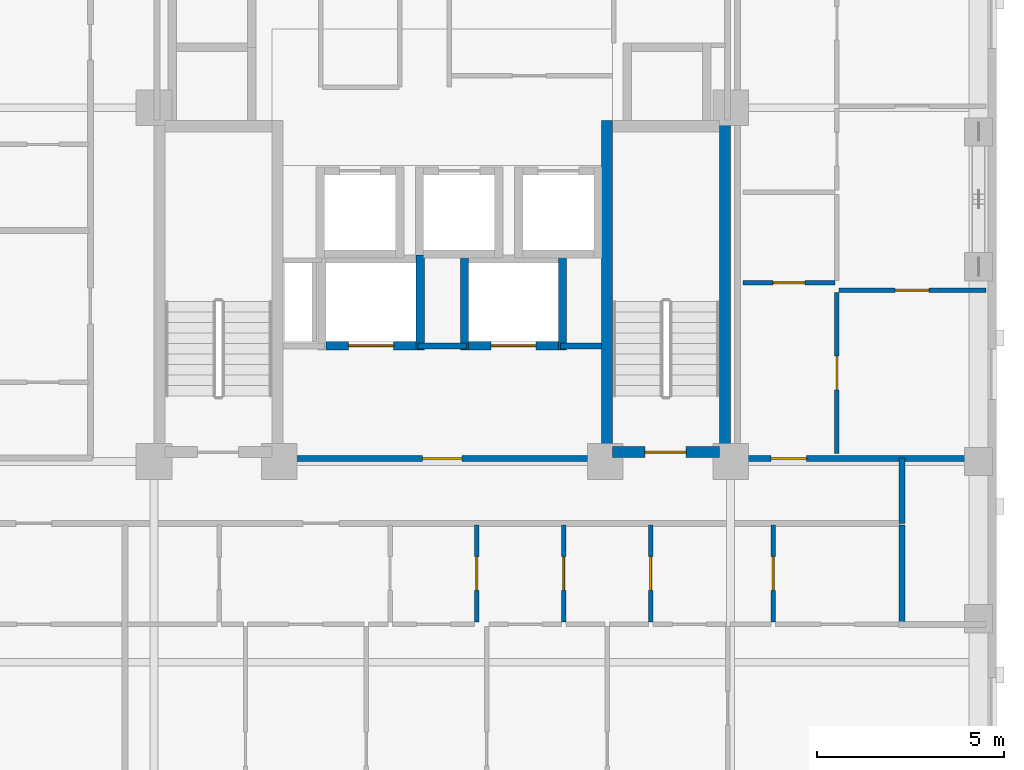
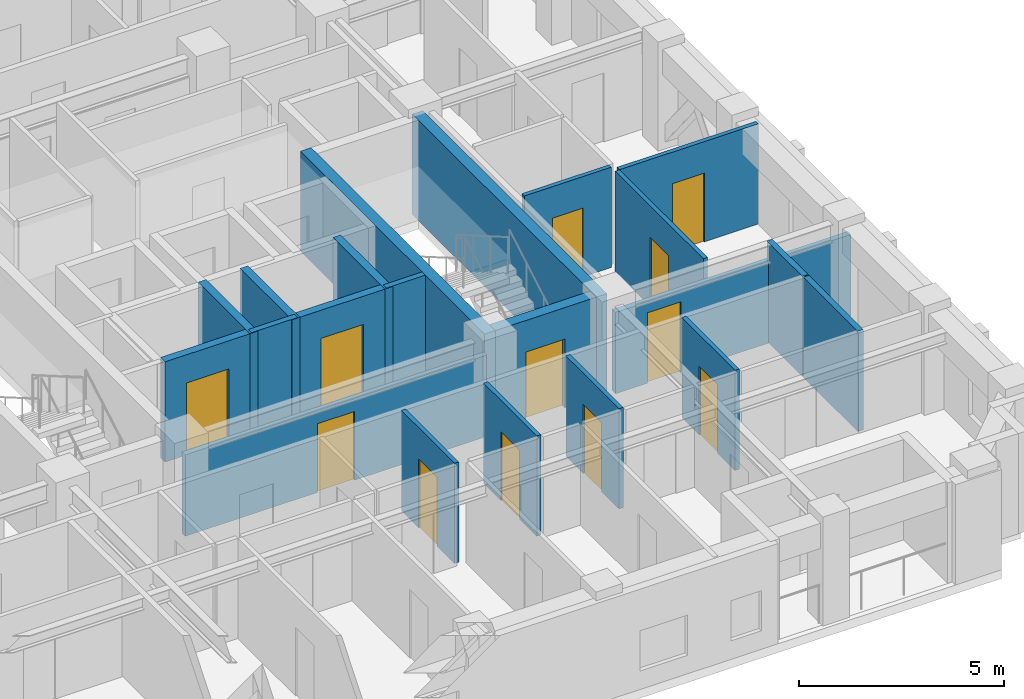
# One storey, part 4 of 11: 21 walls, 12 doors, 12 openings.
"""IFC4 building model written with IfcOpenShell, lengths in metres."""

from ifc_helpers import new_model, si_unit, derived_unit, direction, frame, frame_2d, origin, place, context, subcontext, project, spatial, rectangle, extrude, material, layer, layer_set, type_object, element, fill, save


model = new_model("IFC4")

# Units and contexts
model_context = context("Model", 3, precision=1e-05, world=origin(), true_north=direction((0.0, 1.0)))
body_context = subcontext(model_context, "Body", "Model", "MODEL_VIEW")
ifc_project = project(units=[si_unit("LENGTHUNIT", "METRE"), si_unit("AREAUNIT", "SQUARE_METRE"), si_unit("VOLUMEUNIT", "CUBIC_METRE"), si_unit("PLANEANGLEUNIT", "RADIAN"), si_unit("MASSUNIT", "GRAM", prefix="KILO"), derived_unit("THERMALTRANSMITTANCEUNIT", [(si_unit("MASSUNIT", "GRAM", prefix="KILO"), 1), (si_unit("TIMEUNIT", "SECOND"), -3), (si_unit("THERMODYNAMICTEMPERATUREUNIT", "KELVIN"), -1)])], contexts=[model_context])

# Site, building, storey
site_placement = place(None, origin())
site = spatial("IfcSite", under=ifc_project, at=site_placement, CompositionType="ELEMENT")
building_placement = place(site_placement, origin())
building = spatial("IfcBuilding", under=site, at=building_placement, Name="Korrvale Station Residences", CompositionType="ELEMENT")
storey_placement = place(building_placement, frame((0.0, 0.0, 140.64990234375)))
storey = spatial("IfcBuildingStorey", under=building, at=storey_placement, Name="L40", CompositionType="ELEMENT", Elevation=140.64990234375)

# Walls
ifc_material_1 = material(Name="Concrete C60/75", Category="concrete")
ifc_layer_1 = layer(ifc_material_1, 0.300048828125, Name="Concrete C60/75")
ifc_layer_set_1 = layer_set([ifc_layer_1], Name="Concrete C60/75")
wall_type_1 = type_object("IfcWallType", Name="WAL-CORE-300-C60", PredefinedType="SHEAR", material=ifc_layer_set_1)
for number, where, z_axis, x_axis, name in (
    (1, (29.89990234375, 15.10009765625, 0.0), (0.0, 0.0, 1.0), (0.0, 1.0, 0.0), "L40 ST-2 Core Shear Wall West"),
    (2, (33.050048828125, 15.10009765625, 0.0), (0.0, 0.0, 1.0), (0.0, 1.0, 0.0), "L40 ST-2 Core Shear Wall East"),
):
    element("IfcWall", number, at=place(storey_placement, frame(where, z_axis=z_axis, x_axis=x_axis)), inside=storey, type_object=wall_type_1, Name=name, PredefinedType="SHEAR", context=body_context, shape_type="SweptSolid", body=[
        extrude(rectangle(XDim=9.0, YDim=0.300048828125, at=frame_2d((4.5, 0.0))), origin(), (0.0, 0.0, 1.0), 2.989990234375),
    ])

# Wall, opening, door
wall_1_placement = place(storey_placement, frame((30.050048828125, 15.25, 0.0), z_axis=(0.0, 0.0, 1.0), x_axis=(1.0, 0.0, 0.0)))
wall_1 = element("IfcWall", 3, at=wall_1_placement, inside=storey, type_object=wall_type_1, Name="L40 ST-2 Core Shear Wall South", PredefinedType="SHEAR", context=body_context, shape_type="SweptSolid", body=[
    extrude(rectangle(XDim=2.849853515625, YDim=0.300048828125, at=frame_2d((1.4248046875, 0.0))), origin(), (0.0, 0.0, 1.0), 2.989990234375),
])
opening_1_placement = place(wall_1_placement, frame((0.860107421875, 0.0, 0.0)))
opening_1 = element("IfcOpeningElement", 4, at=opening_1_placement, cuts=wall_1, Name="Opening SD-1100", PredefinedType="OPENING", context=body_context, shape_type="SweptSolid", body=[
    extrude(rectangle(XDim=1.10009765625, YDim=2.050048828125, at=frame_2d((0.550048828125, 1.02490234375))), frame((0.0, 0.16015625, 0.0), z_axis=(0.0, -1.0, 0.0), x_axis=(1.0, 0.0, 0.0)), (0.0, 0.0, 1.0), 0.320068359375),
])
ifc_material_2 = material(Name="Hollow-metal fire-rated stair door with closer", Category="steel")
door_type_1 = type_object("IfcDoorType", Name="DR-STAIR-1100", OperationType="NOTDEFINED", PredefinedType="DOOR", material=ifc_material_2)
door_1_placement = place(opening_1_placement, origin())
door_1 = element("IfcDoor", 5, at=door_1_placement, inside=storey, type_object=door_type_1, Name="L40 ST-2 Exit Stair Door", OperationType="SINGLE_SWING_RIGHT", OverallHeight=2.050048828125, OverallWidth=1.10009765625, PredefinedType="DOOR", context=body_context, shape_type="SweptSolid", body=[
    extrude(rectangle(XDim=1.10009765625, YDim=2.050048828125, at=frame_2d((0.550048828125, 1.02490234375))), frame((0.0, 0.02490234375, 0.0), z_axis=(0.0, -1.0, 0.0), x_axis=(1.0, 0.0, 0.0)), (0.0, 0.0, 1.0), 0.050048828125),
])
fill(opening_1, door_1)

ifc_material_3 = material(Name="Acoustic steel-stud gypsum board partition", Category="steel")
ifc_layer_2 = layer(ifc_material_3, 0.1201171875, Name="Acoustic steel-stud gypsum board partition")
ifc_layer_set_2 = layer_set([ifc_layer_2], Name="Acoustic steel-stud gypsum board partition")
wall_type_2 = type_object("IfcWallType", Name="WAL-PART-125", PredefinedType="PARTITIONING", material=ifc_layer_set_2)
wall_2_placement = place(storey_placement, frame((26.424072265625, 10.7099609375, 0.0), z_axis=(0.0, 0.0, 1.0), x_axis=(0.0, 1.0, 0.0)))
wall_2 = element("IfcWall", 6, at=wall_2_placement, inside=storey, type_object=wall_type_2, Name="L40 Suite Partition U02-V23", PredefinedType="PARTITIONING", context=body_context, shape_type="SweptSolid", body=[
    extrude(rectangle(XDim=2.60009765625, YDim=0.1201171875, at=frame_2d((1.300048828125, 0.0))), origin(), (0.0, 0.0, 1.0), 2.989990234375),
])
opening_2_placement = place(wall_2_placement, frame((0.85009765625, 0.0, 0.0)))
opening_2 = element("IfcOpeningElement", 7, at=opening_2_placement, cuts=wall_2, Name="Opening DI-900", PredefinedType="OPENING", context=body_context, shape_type="SweptSolid", body=[
    extrude(rectangle(XDim=0.89990234375, YDim=2.050048828125, at=frame_2d((0.449951171875, 1.02490234375))), frame((0.0, 0.070068359375, 0.0), z_axis=(0.0, -1.0, 0.0), x_axis=(1.0, 0.0, 0.0)), (0.0, 0.0, 1.0), 0.14013671875),
])
ifc_material_4 = material(Name="Painted solid-core timber interior room door", Category="wood")
door_type_2 = type_object("IfcDoorType", Name="DR-INT-900", OperationType="NOTDEFINED", PredefinedType="DOOR", material=ifc_material_4)
door_2_placement = place(opening_2_placement, origin())
door_2 = element("IfcDoor", 8, at=door_2_placement, inside=storey, type_object=door_type_2, Name="L40 Studio Apartment L40-U02 Wardrobe Storage Room Door", OperationType="SINGLE_SWING_LEFT", OverallHeight=2.050048828125, OverallWidth=0.89990234375, PredefinedType="DOOR", context=body_context, shape_type="SweptSolid", body=[
    extrude(rectangle(XDim=0.89990234375, YDim=2.050048828125, at=frame_2d((0.449951171875, 1.02490234375))), frame((0.0, 0.02490234375, 0.0), z_axis=(0.0, -1.0, 0.0), x_axis=(1.0, 0.0, 0.0)), (0.0, 0.0, 1.0), 0.050048828125),
])
fill(opening_2, door_2)

wall_3_placement = place(storey_placement, frame((28.743896484375, 10.7099609375, 0.0), z_axis=(0.0, 0.0, 1.0), x_axis=(0.0, 1.0, 0.0)))
wall_3 = element("IfcWall", 9, at=wall_3_placement, inside=storey, type_object=wall_type_2, Name="L40 Suite Partition U02-V34", PredefinedType="PARTITIONING", context=body_context, shape_type="SweptSolid", body=[
    extrude(rectangle(XDim=2.60009765625, YDim=0.1201171875, at=frame_2d((1.300048828125, 0.0))), origin(), (0.0, 0.0, 1.0), 2.989990234375),
])
opening_3_placement = place(wall_3_placement, frame((0.85009765625, 0.0, 0.0)))
opening_3 = element("IfcOpeningElement", 10, at=opening_3_placement, cuts=wall_3, Name="Opening DI-900", PredefinedType="OPENING", context=body_context, shape_type="SweptSolid", body=[
    extrude(rectangle(XDim=0.89990234375, YDim=2.050048828125, at=frame_2d((0.449951171875, 1.02490234375))), frame((0.0, 0.070068359375, 0.0), z_axis=(0.0, -1.0, 0.0), x_axis=(1.0, 0.0, 0.0)), (0.0, 0.0, 1.0), 0.14013671875),
])
door_3_placement = place(opening_3_placement, origin())
door_3 = element("IfcDoor", 11, at=door_3_placement, inside=storey, type_object=door_type_2, Name="L40 Studio Apartment L40-U02 Wardrobe Storage Room Door", OperationType="SINGLE_SWING_LEFT", OverallHeight=2.050048828125, OverallWidth=0.89990234375, PredefinedType="DOOR", context=body_context, shape_type="SweptSolid", body=[
    extrude(rectangle(XDim=0.89990234375, YDim=2.050048828125, at=frame_2d((0.449951171875, 1.02490234375))), frame((0.0, 0.02490234375, 0.0), z_axis=(0.0, -1.0, 0.0), x_axis=(1.0, 0.0, 0.0)), (0.0, 0.0, 1.0), 0.050048828125),
])
fill(opening_3, door_3)

wall_4_placement = place(storey_placement, frame((31.06396484375, 10.7099609375, 0.0), z_axis=(0.0, 0.0, 1.0), x_axis=(0.0, 1.0, 0.0)))
wall_4 = element("IfcWall", 12, at=wall_4_placement, inside=storey, type_object=wall_type_2, Name="L40 Suite Partition U02-V45", PredefinedType="PARTITIONING", context=body_context, shape_type="SweptSolid", body=[
    extrude(rectangle(XDim=2.60009765625, YDim=0.1201171875, at=frame_2d((1.300048828125, 0.0))), origin(), (0.0, 0.0, 1.0), 2.989990234375),
])
opening_4_placement = place(wall_4_placement, frame((0.85009765625, 0.0, 0.0)))
opening_4 = element("IfcOpeningElement", 13, at=opening_4_placement, cuts=wall_4, Name="Opening DI-900", PredefinedType="OPENING", context=body_context, shape_type="SweptSolid", body=[
    extrude(rectangle(XDim=0.89990234375, YDim=2.050048828125, at=frame_2d((0.449951171875, 1.02490234375))), frame((0.0, 0.070068359375, 0.0), z_axis=(0.0, -1.0, 0.0), x_axis=(1.0, 0.0, 0.0)), (0.0, 0.0, 1.0), 0.14013671875),
])
door_4_placement = place(opening_4_placement, origin())
door_4 = element("IfcDoor", 14, at=door_4_placement, inside=storey, type_object=door_type_2, Name="L40 Studio Apartment L40-U02 Wardrobe Storage Room Door", OperationType="SINGLE_SWING_LEFT", OverallHeight=2.050048828125, OverallWidth=0.89990234375, PredefinedType="DOOR", context=body_context, shape_type="SweptSolid", body=[
    extrude(rectangle(XDim=0.89990234375, YDim=2.050048828125, at=frame_2d((0.449951171875, 1.02490234375))), frame((0.0, 0.02490234375, 0.0), z_axis=(0.0, -1.0, 0.0), x_axis=(1.0, 0.0, 0.0)), (0.0, 0.0, 1.0), 0.050048828125),
])
fill(opening_4, door_4)

wall_5_placement = place(storey_placement, frame((34.333984375, 10.7099609375, 0.0), z_axis=(0.0, 0.0, 1.0), x_axis=(0.0, 1.0, 0.0)))
wall_5 = element("IfcWall", 15, at=wall_5_placement, inside=storey, type_object=wall_type_2, Name="L40 Suite Partition U02-V56", PredefinedType="PARTITIONING", context=body_context, shape_type="SweptSolid", body=[
    extrude(rectangle(XDim=2.60009765625, YDim=0.1201171875, at=frame_2d((1.300048828125, 0.0))), origin(), (0.0, 0.0, 1.0), 2.989990234375),
])
opening_5_placement = place(wall_5_placement, frame((0.85009765625, 0.0, 0.0)))
opening_5 = element("IfcOpeningElement", 16, at=opening_5_placement, cuts=wall_5, Name="Opening DI-900", PredefinedType="OPENING", context=body_context, shape_type="SweptSolid", body=[
    extrude(rectangle(XDim=0.89990234375, YDim=2.050048828125, at=frame_2d((0.449951171875, 1.02490234375))), frame((0.0, 0.070068359375, 0.0), z_axis=(0.0, -1.0, 0.0), x_axis=(1.0, 0.0, 0.0)), (0.0, 0.0, 1.0), 0.14013671875),
])
door_5_placement = place(opening_5_placement, origin())
door_5 = element("IfcDoor", 17, at=door_5_placement, inside=storey, type_object=door_type_2, Name="L40 Studio Apartment L40-U02 Utility and Laundry Room Door", OperationType="SINGLE_SWING_RIGHT", OverallHeight=2.050048828125, OverallWidth=0.89990234375, PredefinedType="DOOR", context=body_context, shape_type="SweptSolid", body=[
    extrude(rectangle(XDim=0.89990234375, YDim=2.050048828125, at=frame_2d((0.449951171875, 1.02490234375))), frame((0.0, 0.02490234375, 0.0), z_axis=(0.0, -1.0, 0.0), x_axis=(1.0, 0.0, 0.0)), (0.0, 0.0, 1.0), 0.050048828125),
])
fill(opening_5, door_5)

wall_6_placement = place(storey_placement, frame((33.530029296875, 19.77001953125, 0.0), z_axis=(0.0, 0.0, 1.0), x_axis=(1.0, 0.0, 0.0)))
wall_6 = element("IfcWall", 18, at=wall_6_placement, inside=storey, type_object=wall_type_2, Name="L40 Suite Partition U09-H12", PredefinedType="PARTITIONING", context=body_context, shape_type="SweptSolid", body=[
    extrude(rectangle(XDim=2.449951171875, YDim=0.1201171875, at=frame_2d((1.22509765625, 0.0))), origin(), (0.0, 0.0, 1.0), 2.989990234375),
])
opening_6_placement = place(wall_6_placement, frame((0.794921875, 0.0, 0.0)))
opening_6 = element("IfcOpeningElement", 19, at=opening_6_placement, cuts=wall_6, Name="Opening DB-860", PredefinedType="OPENING", context=body_context, shape_type="SweptSolid", body=[
    extrude(rectangle(XDim=0.860107421875, YDim=2.050048828125, at=frame_2d((0.43017578125, 1.02490234375))), frame((0.0, 0.070068359375, 0.0), z_axis=(0.0, -1.0, 0.0), x_axis=(1.0, 0.0, 0.0)), (0.0, 0.0, 1.0), 0.14013671875),
])
ifc_material_5 = material(Name="Moisture-resistant solid-core bathroom door", Category="timber")
door_type_3 = type_object("IfcDoorType", Name="DR-BATH-860", OperationType="NOTDEFINED", PredefinedType="DOOR", material=ifc_material_5)
door_6_placement = place(opening_6_placement, origin())
door_6 = element("IfcDoor", 20, at=door_6_placement, inside=storey, type_object=door_type_3, Name="L40 Apartment 2BR L40-U09 Bathroom Door", OperationType="SINGLE_SWING_LEFT", OverallHeight=2.050048828125, OverallWidth=0.860107421875, PredefinedType="DOOR", context=body_context, shape_type="SweptSolid", body=[
    extrude(rectangle(XDim=0.860107421875, YDim=2.050048828125, at=frame_2d((0.43017578125, 1.02490234375))), frame((0.0, 0.02490234375, 0.0), z_axis=(0.0, -1.0, 0.0), x_axis=(1.0, 0.0, 0.0)), (0.0, 0.0, 1.0), 0.050048828125),
])
fill(opening_6, door_6)

wall_7_placement = place(storey_placement, frame((36.0400390625, 15.2099609375, 0.0), z_axis=(0.0, 0.0, 1.0), x_axis=(0.0, 1.0, 0.0)))
wall_7 = element("IfcWall", 21, at=wall_7_placement, inside=storey, type_object=wall_type_2, Name="L40 Suite Partition U09-V23", PredefinedType="PARTITIONING", context=body_context, shape_type="SweptSolid", body=[
    extrude(rectangle(XDim=4.30810546875, YDim=0.1201171875, at=frame_2d((2.154052734375, 0.0))), origin(), (0.0, 0.0, 1.0), 2.989990234375),
])
opening_7_placement = place(wall_7_placement, frame((1.7041015625, 0.0, 0.0)))
opening_7 = element("IfcOpeningElement", 22, at=opening_7_placement, cuts=wall_7, Name="Opening DI-900", PredefinedType="OPENING", context=body_context, shape_type="SweptSolid", body=[
    extrude(rectangle(XDim=0.89990234375, YDim=2.050048828125, at=frame_2d((0.449951171875, 1.02490234375))), frame((0.0, 0.070068359375, 0.0), z_axis=(0.0, -1.0, 0.0), x_axis=(1.0, 0.0, 0.0)), (0.0, 0.0, 1.0), 0.14013671875),
])
door_7_placement = place(opening_7_placement, origin())
door_7 = element("IfcDoor", 23, at=door_7_placement, inside=storey, type_object=door_type_2, Name="L40 Apartment 2BR L40-U09 Kitchen Door", OperationType="SINGLE_SWING_RIGHT", OverallHeight=2.050048828125, OverallWidth=0.89990234375, PredefinedType="DOOR", context=body_context, shape_type="SweptSolid", body=[
    extrude(rectangle(XDim=0.89990234375, YDim=2.050048828125, at=frame_2d((0.449951171875, 1.02490234375))), frame((0.0, 0.02490234375, 0.0), z_axis=(0.0, -1.0, 0.0), x_axis=(1.0, 0.0, 0.0)), (0.0, 0.0, 1.0), 0.050048828125),
])
fill(opening_7, door_7)

wall_8_placement = place(storey_placement, frame((36.10009765625, 19.577880859375, 0.0), z_axis=(0.0, 0.0, 1.0), x_axis=(1.0, 0.0, 0.0)))
wall_8 = element("IfcWall", 24, at=wall_8_placement, inside=storey, type_object=wall_type_2, Name="L40 Suite Partition U09-H34", PredefinedType="PARTITIONING", context=body_context, shape_type="SweptSolid", body=[
    extrude(rectangle(XDim=3.919921875, YDim=0.1201171875, at=frame_2d((1.9599609375, 0.0))), origin(), (0.0, 0.0, 1.0), 2.989990234375),
])
opening_8_placement = place(wall_8_placement, frame((1.4951171875, 0.0, 0.0)))
opening_8 = element("IfcOpeningElement", 25, at=opening_8_placement, cuts=wall_8, Name="Opening DI-900", PredefinedType="OPENING", context=body_context, shape_type="SweptSolid", body=[
    extrude(rectangle(XDim=0.89990234375, YDim=2.050048828125, at=frame_2d((0.449951171875, 1.02490234375))), frame((0.0, 0.070068359375, 0.0), z_axis=(0.0, -1.0, 0.0), x_axis=(1.0, 0.0, 0.0)), (0.0, 0.0, 1.0), 0.14013671875),
])
door_8_placement = place(opening_8_placement, origin())
door_8 = element("IfcDoor", 26, at=door_8_placement, inside=storey, type_object=door_type_2, Name="L40 Apartment 2BR L40-U09 Bedroom 1 Door", OperationType="SINGLE_SWING_LEFT", OverallHeight=2.050048828125, OverallWidth=0.89990234375, PredefinedType="DOOR", context=body_context, shape_type="SweptSolid", body=[
    extrude(rectangle(XDim=0.89990234375, YDim=2.050048828125, at=frame_2d((0.449951171875, 1.02490234375))), frame((0.0, 0.02490234375, 0.0), z_axis=(0.0, -1.0, 0.0), x_axis=(1.0, 0.0, 0.0)), (0.0, 0.0, 1.0), 0.050048828125),
])
fill(opening_8, door_8)

ifc_material_6 = material(Name="Fire-rated twin-stud gypsum and mineral wool shaftwall assembly", Category="gypsum")
ifc_layer_3 = layer(ifc_material_6, 0.159912109375, Name="Fire-rated twin-stud gypsum and mineral wool shaftwall assembly")
ifc_layer_set_3 = layer_set([ifc_layer_3], Name="Fire-rated twin-stud gypsum and mineral wool shaftwall assembly")
wall_type_3 = type_object("IfcWallType", Name="WAL-PART-200", PredefinedType="PARTITIONING", material=ifc_layer_set_3)
wall_9_placement = place(storey_placement, frame((21.25, 15.080078125, 0.0), z_axis=(0.0, 0.0, 1.0), x_axis=(1.0, 0.0, 0.0)))
wall_9 = element("IfcWall", 27, at=wall_9_placement, inside=storey, type_object=wall_type_3, Name="L40 Core Partition CW-FFL-S", PredefinedType="PARTITIONING", context=body_context, shape_type="SweptSolid", body=[
    extrude(rectangle(XDim=8.5, YDim=0.159912109375, at=frame_2d((4.25, 0.0))), origin(), (0.0, 0.0, 1.0), 2.426025390625),
])
opening_9_placement = place(wall_9_placement, frame((3.72509765625, 0.0, 0.0)))
opening_9 = element("IfcOpeningElement", 28, at=opening_9_placement, cuts=wall_9, Name="Opening FD-1050", PredefinedType="OPENING", context=body_context, shape_type="SweptSolid", body=[
    extrude(rectangle(XDim=1.050048828125, YDim=2.050048828125, at=frame_2d((0.52490234375, 1.02490234375))), frame((0.0, 0.08984375, 0.0), z_axis=(0.0, -1.0, 0.0), x_axis=(1.0, 0.0, 0.0)), (0.0, 0.0, 1.0), 0.179931640625),
])
ifc_material_7 = material(Name="Fire-rated mineral-core timber lobby door", Category="wood")
door_type_4 = type_object("IfcDoorType", Name="DR-CORE-1050", OperationType="NOTDEFINED", PredefinedType="DOOR", material=ifc_material_7)
door_9_placement = place(opening_9_placement, origin())
door_9 = element("IfcDoor", 29, at=door_9_placement, inside=storey, type_object=door_type_4, Name="L40 Firefighting Lobby Entry Door", OperationType="SINGLE_SWING_LEFT", OverallHeight=2.050048828125, OverallWidth=1.050048828125, PredefinedType="DOOR", context=body_context, shape_type="SweptSolid", body=[
    extrude(rectangle(XDim=1.050048828125, YDim=2.050048828125, at=frame_2d((0.52490234375, 1.02490234375))), frame((0.0, 0.02490234375, 0.0), z_axis=(0.0, -1.0, 0.0), x_axis=(1.0, 0.0, 0.0)), (0.0, 0.0, 1.0), 0.050048828125),
])
fill(opening_9, door_9)

# Walls
wall_10_placement = place(storey_placement, frame((24.85009765625, 18.080078125, 0.0), z_axis=(0.0, 0.0, 1.0), x_axis=(1.0, 0.0, 0.0)))
element("IfcWall", 30, at=wall_10_placement, inside=storey, type_object=wall_type_3, Name="L40 Core Partition CW-FFL-N2", PredefinedType="PARTITIONING", context=body_context, shape_type="SweptSolid", body=[
    extrude(rectangle(XDim=1.2998046875, YDim=0.159912109375, at=frame_2d((0.64990234375, 0.0))), origin(), (0.0, 0.0, 1.0), 2.989990234375),
])
wall_11_placement = place(storey_placement, frame((28.64990234375, 18.080078125, 0.0), z_axis=(0.0, 0.0, 1.0), x_axis=(1.0, 0.0, 0.0)))
element("IfcWall", 31, at=wall_11_placement, inside=storey, type_object=wall_type_3, Name="L40 Core Partition CW-FFL-N3", PredefinedType="PARTITIONING", context=body_context, shape_type="SweptSolid", body=[
    extrude(rectangle(XDim=1.10009765625, YDim=0.159912109375, at=frame_2d((0.550048828125, 0.0))), origin(), (0.0, 0.0, 1.0), 2.989990234375),
])
wall_12_placement = place(storey_placement, frame((37.780029296875, 13.35009765625, 0.0), z_axis=(0.0, 0.0, 1.0), x_axis=(0.0, 1.0, 0.0)))
element("IfcWall", 32, at=wall_12_placement, inside=storey, type_object=wall_type_3, Name="L40 Corridor South East Cap", PredefinedType="PARTITIONING", context=body_context, shape_type="SweptSolid", body=[
    extrude(rectangle(XDim=1.739990234375, YDim=0.159912109375, at=frame_2d((0.8701171875, 0.0))), origin(), (0.0, 0.0, 1.0), 2.989990234375),
])
wall_13_placement = place(storey_placement, frame((37.780029296875, 10.64990234375, 0.0), z_axis=(0.0, 0.0, 1.0), x_axis=(0.0, 1.0, 0.0)))
element("IfcWall", 33, at=wall_13_placement, inside=storey, type_object=wall_type_3, Name="L40 Corner Step Cheek U02-R", PredefinedType="PARTITIONING", context=body_context, shape_type="SweptSolid", body=[
    extrude(rectangle(XDim=2.66015625, YDim=0.159912109375, at=frame_2d((1.330078125, 0.0))), origin(), (0.0, 0.0, 1.0), 2.989990234375),
])

# Wall, opening, door
wall_14_placement = place(storey_placement, frame((33.3798828125, 15.080078125, 0.0), z_axis=(0.0, 0.0, 1.0), x_axis=(1.0, 0.0, 0.0)))
wall_14 = element("IfcWall", 34, at=wall_14_placement, inside=storey, type_object=wall_type_3, Name="L40 Side Suite South Entry Wall U09", PredefinedType="PARTITIONING", context=body_context, shape_type="SweptSolid", body=[
    extrude(rectangle(XDim=6.64013671875, YDim=0.159912109375, at=frame_2d((3.320068359375, 0.0))), origin(), (0.0, 0.0, 1.0), 2.426025390625),
])
opening_10_placement = place(wall_14_placement, frame((0.89990234375, 0.0, 0.0)))
opening_10 = element("IfcOpeningElement", 35, at=opening_10_placement, cuts=wall_14, Name="Opening UD-950", PredefinedType="OPENING", context=body_context, shape_type="SweptSolid", body=[
    extrude(rectangle(XDim=0.949951171875, YDim=2.10009765625, at=frame_2d((0.47509765625, 1.050048828125))), frame((0.0, 0.08984375, 0.0), z_axis=(0.0, -1.0, 0.0), x_axis=(1.0, 0.0, 0.0)), (0.0, 0.0, 1.0), 0.179931640625),
])
ifc_material_8 = material(Name="Solid-core acoustic oak apartment entrance door", Category="timber")
door_type_5 = type_object("IfcDoorType", Name="DR-UNIT-950", OperationType="NOTDEFINED", PredefinedType="DOOR", material=ifc_material_8)
door_10_placement = place(opening_10_placement, origin())
door_10 = element("IfcDoor", 36, at=door_10_placement, inside=storey, type_object=door_type_5, Name="L40 Apartment L40-U09 Entrance Door", OperationType="SINGLE_SWING_RIGHT", OverallHeight=2.10009765625, OverallWidth=0.949951171875, PredefinedType="DOOR", context=body_context, shape_type="SweptSolid", body=[
    extrude(rectangle(XDim=0.949951171875, YDim=2.10009765625, at=frame_2d((0.47509765625, 1.050048828125))), frame((0.0, 0.02490234375, 0.0), z_axis=(0.0, -1.0, 0.0), x_axis=(1.0, 0.0, 0.0)), (0.0, 0.0, 1.0), 0.050048828125),
])
fill(opening_10, door_10)

ifc_layer_4 = layer(ifc_material_1, 0.219970703125, Name="Concrete C60/75")
ifc_layer_set_4 = layer_set([ifc_layer_4], Name="Concrete C60/75")
wall_type_4 = type_object("IfcWallType", Name="WAL-SHAFT-220-C60", PredefinedType="SHEAR", material=ifc_layer_set_4)
wall_15_placement = place(storey_placement, frame((22.39990234375, 18.090087890625, 0.0), z_axis=(0.0, 0.0, 1.0), x_axis=(1.0, 0.0, 0.0)))
wall_15 = element("IfcWall", 37, at=wall_15_placement, inside=storey, type_object=wall_type_4, Name="L40 Elevator FFL-1 Hoistway Wall South", PredefinedType="SHEAR", context=body_context, shape_type="SweptSolid", body=[
    extrude(rectangle(XDim=2.400146484375, YDim=0.219970703125, at=frame_2d((1.2001953125, 0.0))), origin(), (0.0, 0.0, 1.0), 2.989990234375),
])
opening_11_placement = place(wall_15_placement, frame((0.60009765625, 0.0, 0.0)))
opening_11 = element("IfcOpeningElement", 38, at=opening_11_placement, cuts=wall_15, Name="Opening LD-FF1200", PredefinedType="OPENING", context=body_context, shape_type="SweptSolid", body=[
    extrude(rectangle(XDim=1.199951171875, YDim=2.14990234375, at=frame_2d((0.60009765625, 1.074951171875))), frame((0.0, 0.1201171875, 0.0), z_axis=(0.0, -1.0, 0.0), x_axis=(1.0, 0.0, 0.0)), (0.0, 0.0, 1.0), 0.239990234375),
])
ifc_material_9 = material(Name="Stainless-steel firefighter elevator landing sliding door", Category="steel")
door_type_6 = type_object("IfcDoorType", Name="DR-LIFT-FF1200", OperationType="SLIDING_TO_LEFT", PredefinedType="DOOR", material=ifc_material_9)
door_11_placement = place(opening_11_placement, origin())
door_11 = element("IfcDoor", 39, at=door_11_placement, inside=storey, type_object=door_type_6, Name="L40 Elevator FFL-1 Sliding Landing Door", OperationType="SLIDING_TO_LEFT", OverallHeight=2.14990234375, OverallWidth=1.199951171875, PredefinedType="DOOR", context=body_context, shape_type="SweptSolid", body=[
    extrude(rectangle(XDim=1.199951171875, YDim=2.14990234375, at=frame_2d((0.60009765625, 1.074951171875))), frame((0.0, 0.02490234375, 0.0), z_axis=(0.0, -1.0, 0.0), x_axis=(1.0, 0.0, 0.0)), (0.0, 0.0, 1.0), 0.050048828125),
])
fill(opening_11, door_11)

# Wall
wall_16_placement = place(storey_placement, frame((24.909912109375, 17.97998046875, 0.0), z_axis=(0.0, 0.0, 1.0), x_axis=(0.0, 1.0, 0.0)))
element("IfcWall", 40, at=wall_16_placement, inside=storey, type_object=wall_type_4, Name="L40 Elevator FFL-1 Hoistway Wall East", PredefinedType="SHEAR", context=body_context, shape_type="SweptSolid", body=[
    extrude(rectangle(XDim=2.5400390625, YDim=0.219970703125, at=frame_2d((1.27001953125, 0.0))), origin(), (0.0, 0.0, 1.0), 2.989990234375),
])

# Wall, opening, door
wall_17_placement = place(storey_placement, frame((26.199951171875, 18.090087890625, 0.0), z_axis=(0.0, 0.0, 1.0), x_axis=(1.0, 0.0, 0.0)))
wall_17 = element("IfcWall", 41, at=wall_17_placement, inside=storey, type_object=wall_type_4, Name="L40 Elevator FFL-2 Hoistway Wall South", PredefinedType="SHEAR", context=body_context, shape_type="SweptSolid", body=[
    extrude(rectangle(XDim=2.400146484375, YDim=0.219970703125, at=frame_2d((1.2001953125, 0.0))), origin(), (0.0, 0.0, 1.0), 2.989990234375),
])
opening_12_placement = place(wall_17_placement, frame((0.60009765625, 0.0, 0.0)))
opening_12 = element("IfcOpeningElement", 42, at=opening_12_placement, cuts=wall_17, Name="Opening LD-FF1200", PredefinedType="OPENING", context=body_context, shape_type="SweptSolid", body=[
    extrude(rectangle(XDim=1.199951171875, YDim=2.14990234375, at=frame_2d((0.60009765625, 1.074951171875))), frame((0.0, 0.1201171875, 0.0), z_axis=(0.0, -1.0, 0.0), x_axis=(1.0, 0.0, 0.0)), (0.0, 0.0, 1.0), 0.239990234375),
])
door_12_placement = place(opening_12_placement, origin())
door_12 = element("IfcDoor", 43, at=door_12_placement, inside=storey, type_object=door_type_6, Name="L40 Elevator FFL-2 Sliding Landing Door", OperationType="SLIDING_TO_LEFT", OverallHeight=2.14990234375, OverallWidth=1.199951171875, PredefinedType="DOOR", context=body_context, shape_type="SweptSolid", body=[
    extrude(rectangle(XDim=1.199951171875, YDim=2.14990234375, at=frame_2d((0.60009765625, 1.074951171875))), frame((0.0, 0.02490234375, 0.0), z_axis=(0.0, -1.0, 0.0), x_axis=(1.0, 0.0, 0.0)), (0.0, 0.0, 1.0), 0.050048828125),
])
fill(opening_12, door_12)

# Walls
for number, where, z_axis, x_axis, name in (
    (44, (26.090087890625, 17.97998046875, 0.0), (0.0, 0.0, 1.0), (0.0, 1.0, 0.0), "L40 Elevator FFL-2 Hoistway Wall West"),
    (45, (28.7099609375, 17.97998046875, 0.0), (0.0, 0.0, 1.0), (0.0, 1.0, 0.0), "L40 Elevator FFL-2 Hoistway Wall East"),
):
    element("IfcWall", number, at=place(storey_placement, frame(where, z_axis=z_axis, x_axis=x_axis)), inside=storey, type_object=wall_type_4, Name=name, PredefinedType="SHEAR", context=body_context, shape_type="SweptSolid", body=[
        extrude(rectangle(XDim=2.5400390625, YDim=0.219970703125, at=frame_2d((1.27001953125, 0.0))), origin(), (0.0, 0.0, 1.0), 2.989990234375),
    ])

save(model, "model.ifc")
